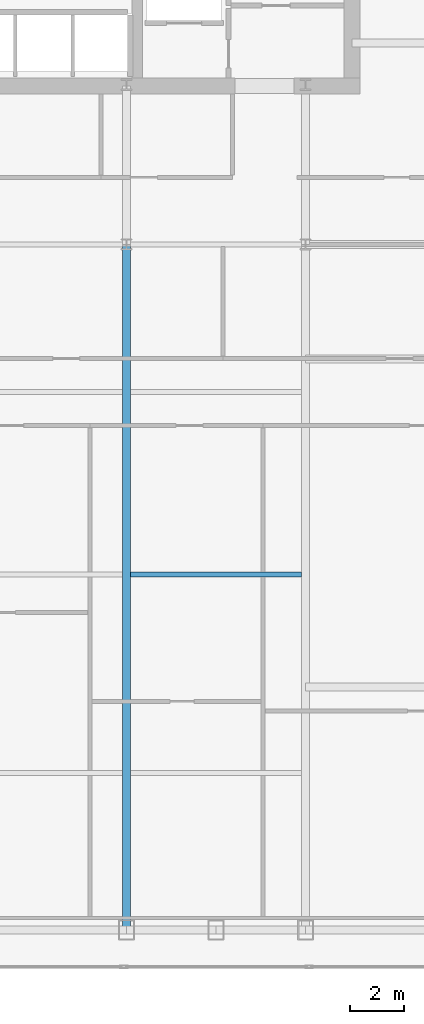
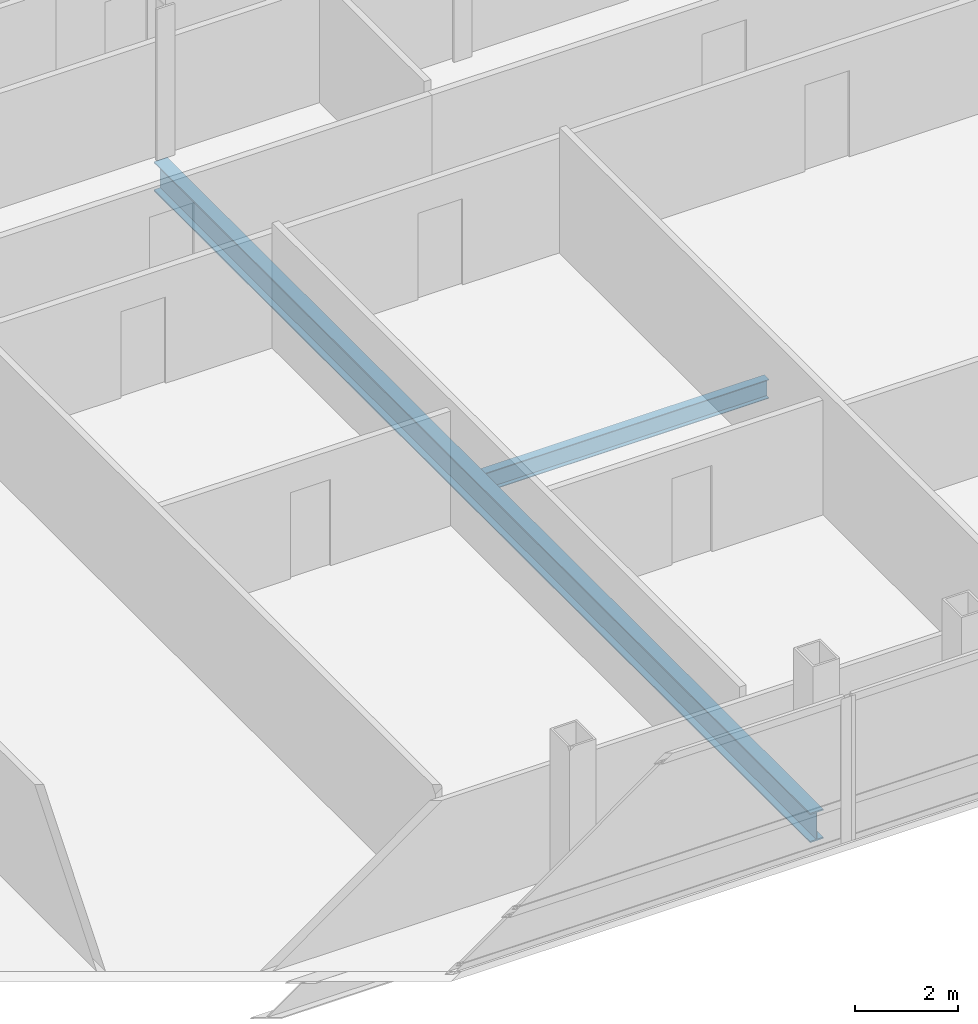
# One storey, part 13 of 30: 2 beams.
"""IFC4 building model written with IfcOpenShell, lengths in metres."""

import ifcopenshell
import ifcopenshell.guid

model = None  # the IFC model being written
_history = None  # IfcOwnerHistory: only IFC2X3 demands one
_inside = {}  # id of a spatial element -> (the spatial element, [elements in it])
_under = {}  # id of a project, library or spatial element -> (it, [spatial elements below it])
_declared = {}  # id of a project -> (the project, [libraries it declares])
_typed = {}  # id of a type object -> (the type object, [elements of that type])
_made_of = {}  # id of a material, layer set ... -> (it, [elements and type objects made of it])


def new_model(schema):
    """Start an empty IFC model of exactly this schema.

    Asked for "IFC4X3", IfcOpenShell would pick the latest addendum, in which some entities
    have other attributes; the version numbers below select the first issue.
    IFC2X3 requires an IfcOwnerHistory on every rooted entity: one is made here for all.
    """
    global model, _history
    if schema == "IFC4X3":
        model = ifcopenshell.file(schema_version=(4, 3, 0, 0))
    else:
        model = ifcopenshell.file(schema=schema)
    _inside.clear()
    _under.clear()
    _declared.clear()
    _typed.clear()
    _made_of.clear()
    _history = None
    if model.schema == "IFC2X3":
        org = make("IfcOrganization", Name="unknown")
        user = make(
            "IfcPersonAndOrganization",
            ThePerson=make("IfcPerson", FamilyName="unknown"),
            TheOrganization=org,
        )
        app = make(
            "IfcApplication",
            ApplicationDeveloper=org,
            Version="unknown",
            ApplicationFullName="unknown",
            ApplicationIdentifier="unknown",
        )
        _history = make(
            "IfcOwnerHistory",
            OwningUser=user,
            OwningApplication=app,
            ChangeAction="ADDED",
            CreationDate=0,
        )
    return model


def make(cls, **values):
    """One entity of the class cls with the attributes given. An attribute that is None is left unset."""
    return model.create_entity(
        cls, **{name: value for name, value in values.items() if value is not None}
    )


def rooted(cls, **values):
    """An entity with a GlobalId (a new one), such as an element, a storey or a relation."""
    return make(cls, GlobalId=ifcopenshell.guid.new(), OwnerHistory=_history, **values)


def si_unit(unit_type, name, prefix=None):
    """IfcSIUnit, for example si_unit("LENGTHUNIT", "METRE", prefix="MILLI")."""
    return make("IfcSIUnit", UnitType=unit_type, Prefix=prefix, Name=name)


def assignment(units):
    """IfcUnitAssignment: the units of a project."""
    return None if units is None else make("IfcUnitAssignment", Units=units)


def point(xyz):
    """IfcCartesianPoint."""
    return None if xyz is None else make("IfcCartesianPoint", Coordinates=xyz)


def direction(xyz):
    """IfcDirection."""
    return None if xyz is None else make("IfcDirection", DirectionRatios=xyz)


def frame(location, z_axis=None, x_axis=None):
    """IfcAxis2Placement3D, a coordinate frame: its origin and axes. An axis left out is left unset."""
    return make(
        "IfcAxis2Placement3D",
        Location=point(location),
        Axis=direction(z_axis),
        RefDirection=direction(x_axis),
    )


def frame_2d(location, x_axis=None):
    """IfcAxis2Placement2D, a coordinate frame in the plane: its origin and x axis."""
    return make(
        "IfcAxis2Placement2D", Location=point(location), RefDirection=direction(x_axis)
    )


def origin():
    """The frame at (0, 0, 0) with its axes left unset."""
    return frame((0.0, 0.0, 0.0))


def origin_2d():
    """The frame at (0, 0) in the plane with its x axis left unset."""
    return frame_2d((0.0, 0.0))


def place(relative_to, where):
    """IfcLocalPlacement: puts the frame where relative to a parent placement (None: the world)."""
    return make(
        "IfcLocalPlacement", PlacementRelTo=relative_to, RelativePlacement=where
    )


def context(
    kind, dimensions, precision=None, world=None, true_north=None, identifier=None
):
    """IfcGeometricRepresentationContext, for example the 3D "Model" context."""
    return make(
        "IfcGeometricRepresentationContext",
        ContextIdentifier=identifier,
        ContextType=kind,
        CoordinateSpaceDimension=dimensions,
        Precision=precision,
        WorldCoordinateSystem=world,
        TrueNorth=true_north,
    )


def subcontext(parent, identifier, kind, view, scale=None):
    """IfcGeometricRepresentationSubContext, for example "Body" below "Model"."""
    return make(
        "IfcGeometricRepresentationSubContext",
        ContextIdentifier=identifier,
        ContextType=kind,
        ParentContext=parent,
        TargetScale=scale,
        TargetView=view,
    )


def project(units=None, contexts=None):
    """IfcProject with its units and contexts."""
    return rooted(
        "IfcProject",
        Name="project",
        RepresentationContexts=contexts,
        UnitsInContext=assignment(units),
    )


def spatial(cls, under=None, at=None, **own):
    """A site, building, storey or space (cls), placed at a placement, below another one or the project."""
    s = rooted(cls, ObjectPlacement=at, **own)
    if under is not None:
        _under.setdefault(under.id(), (under, []))[1].append(s)
    return s


def profile(cls, at=None, kind="AREA", **sizes):
    """A parametric profile (cls). Its sizes go by their IFC names, for example OverallWidth=200.0."""
    return make(cls, ProfileType=kind, Position=at, **sizes)


def i_section(**sizes):
    """IfcIShapeProfileDef."""
    return profile("IfcIShapeProfileDef", **sizes)


def extrude(swept, where, along, depth):
    """IfcExtrudedAreaSolid: the profile swept, set in the frame where, extruded along a direction by depth."""
    return make(
        "IfcExtrudedAreaSolid",
        SweptArea=swept,
        Position=where,
        ExtrudedDirection=direction(along),
        Depth=depth,
    )


def shape(context_of_items, identifier, shape_type, items):
    """IfcShapeRepresentation: the items that make up one representation, for example the "Body"."""
    return make(
        "IfcShapeRepresentation",
        ContextOfItems=context_of_items,
        RepresentationIdentifier=identifier,
        RepresentationType=shape_type,
        Items=items,
    )


def material(Name=None, Category=None):
    """IfcMaterial."""
    return make("IfcMaterial", Name=Name, Category=Category)


def material_profile(
    of_material, cross_section, Name=None, Category=None, Priority=None
):
    """IfcMaterialProfile: a cross section and its material."""
    return make(
        "IfcMaterialProfile",
        Name=Name,
        Material=of_material,
        Profile=cross_section,
        Priority=Priority,
        Category=Category,
    )


def profile_set(profiles, Name=None, composite=None):
    """IfcMaterialProfileSet."""
    return make(
        "IfcMaterialProfileSet",
        Name=Name,
        MaterialProfiles=profiles,
        CompositeProfile=composite,
    )


def made_of(thing, what):
    """Note that an element or type object is made of a material, layer set ...; save() writes the relation."""
    if what is not None:
        _made_of.setdefault(what.id(), (what, []))[1].append(thing)
    return thing


def type_object(cls, material=None, **own):
    """A type object (cls), such as IfcWallType, which elements share."""
    return made_of(rooted(cls, **own), material)


def element(
    cls,
    number,
    at=None,
    inside=None,
    cuts=None,
    type_object=None,
    material=None,
    context=None,
    identifier="Body",
    shape_type=None,
    held_by="IfcProductDefinitionShape",
    body=None,
    shapes=None,
    **own,
):
    """One element of the class cls, such as IfcWall. Its Tag is "e" and its number.

    at: its placement. inside: the storey or other place that contains it. cuts: it is an
    opening in that element (IfcRelVoidsElement). A single representation is given by context,
    identifier, shape_type and body (its items); several are given by shapes. held_by: the class
    of the entity that holds the representations. save() writes the other relations.
    """
    e = rooted(cls, Tag="e%d" % number, ObjectPlacement=at, **own)
    if body is not None:
        shapes = [shape(context, identifier, shape_type, body)]
    if shapes is not None:
        e.Representation = make(held_by, Representations=shapes)
    if inside is not None:
        _inside.setdefault(inside.id(), (inside, []))[1].append(e)
    if cuts is not None:
        rooted(
            "IfcRelVoidsElement", RelatingBuildingElement=cuts, RelatedOpeningElement=e
        )
    if type_object is not None:
        _typed.setdefault(type_object.id(), (type_object, []))[1].append(e)
    return made_of(e, material)


def aggregate(whole, parts):
    """IfcRelAggregates: a whole, such as a stair, and the parts it consists of."""
    return rooted("IfcRelAggregates", RelatingObject=whole, RelatedObjects=parts)


def save(model, path):
    """Write the relations noted so far, then the file.

    IfcRelAggregates (storeys below a building ...), IfcRelContainedInSpatialStructure (elements
    in a storey), IfcRelDefinesByType, IfcRelAssociatesMaterial and IfcRelDeclares: one each for
    every whole, place, type object, material and project.
    """
    for whole, parts in _under.values():
        aggregate(whole, parts)
    for where, things in _inside.values():
        rooted(
            "IfcRelContainedInSpatialStructure",
            RelatedElements=things,
            RelatingStructure=where,
        )
    for kind, things in _typed.values():
        rooted("IfcRelDefinesByType", RelatedObjects=things, RelatingType=kind)
    for what, things in _made_of.values():
        rooted("IfcRelAssociatesMaterial", RelatedObjects=things, RelatingMaterial=what)
    for by, libraries in _declared.values():
        rooted("IfcRelDeclares", RelatingContext=by, RelatedDefinitions=libraries)
    model.write(path)


model = new_model("IFC4")

# Units and contexts
model_context = context("Model", 3, precision=1e-05, world=origin(), true_north=direction((0.0, 1.0)))
body_context = subcontext(model_context, "Body", "Model", "MODEL_VIEW")
ifc_project = project(units=[si_unit("LENGTHUNIT", "METRE"), si_unit("AREAUNIT", "SQUARE_METRE"), si_unit("VOLUMEUNIT", "CUBIC_METRE"), si_unit("PLANEANGLEUNIT", "RADIAN"), si_unit("MASSUNIT", "GRAM", prefix="KILO")], contexts=[model_context])

# Site, building, storey
site_placement = place(None, origin())
site = spatial("IfcSite", under=ifc_project, at=site_placement, CompositionType="ELEMENT")
building_placement = place(site_placement, origin())
building = spatial("IfcBuilding", under=site, at=building_placement, Name="Khoronbel Lancet Exchange", CompositionType="ELEMENT")
storey_placement = place(building_placement, frame((0.0, 0.0, 213.800048828125)))
storey = spatial("IfcBuildingStorey", under=building, at=storey_placement, Name="L54", CompositionType="ELEMENT", Elevation=213.800048828125)

# Beams
ifc_material = material(Name="Steel S355", Category="steel")
ifc_material_profile_1 = material_profile(ifc_material, i_section(OverallWidth=0.300048828125, OverallDepth=0.699951171875, WebThickness=0.01708984375, FlangeThickness=0.031982421875, at=origin_2d()), Name="HEB 700")
ifc_profile_set_1 = profile_set([ifc_material_profile_1], Name="Steel S355")
beam_type_1 = type_object("IfcBeamType", Name="BM-BG3", PredefinedType="BEAM", material=ifc_profile_set_1)
beam_1_placement = place(storey_placement, frame((48.0, 10.14990234375, -0.510009765625), z_axis=(0.0, 1.0, 0.0), x_axis=(-1.0, 0.0, 0.0)))
element("IfcBeam", 1, at=beam_1_placement, inside=storey, type_object=beam_type_1, Name="Level L54 south primary girder GS5", PredefinedType="BEAM", context=body_context, shape_type="SweptSolid", body=[
    extrude(i_section(OverallWidth=0.300048828125, OverallDepth=0.699951171875, WebThickness=0.01708984375, FlangeThickness=0.031982421875, at=origin_2d()), origin(), (0.0, 0.0, 1.0), 25.550048828125),
])
ifc_material_profile_2 = material_profile(ifc_material, i_section(OverallWidth=0.18994140625, OverallDepth=0.449951171875, WebThickness=0.009521484375, FlangeThickness=0.0146484375, at=origin_2d()), Name="IPE 450")
ifc_profile_set_2 = profile_set([ifc_material_profile_2], Name="Steel S355")
beam_type_2 = type_object("IfcBeamType", Name="BM-BJ4", PredefinedType="JOIST", material=ifc_profile_set_2)
beam_2_placement = place(storey_placement, frame((48.14990234375, 23.39990234375, -0.385009765625), z_axis=(1.0, 0.0, 0.0), x_axis=(0.0, 1.0, 0.0)))
element("IfcBeam", 2, at=beam_2_placement, inside=storey, type_object=beam_type_2, Name="Level L54 secondary composite joist J10", PredefinedType="JOIST", context=body_context, shape_type="SweptSolid", body=[
    extrude(i_section(OverallWidth=0.18994140625, OverallDepth=0.449951171875, WebThickness=0.009521484375, FlangeThickness=0.0146484375, at=origin_2d()), origin(), (0.0, 0.0, 1.0), 6.375),
])

save(model, "model.ifc")
